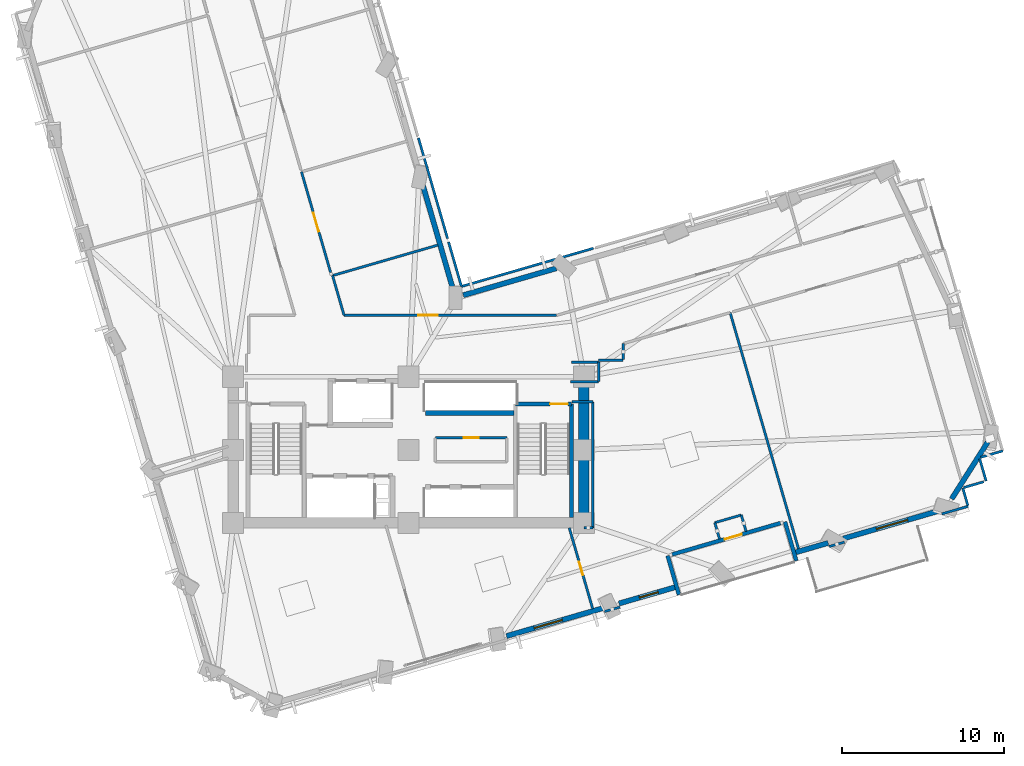
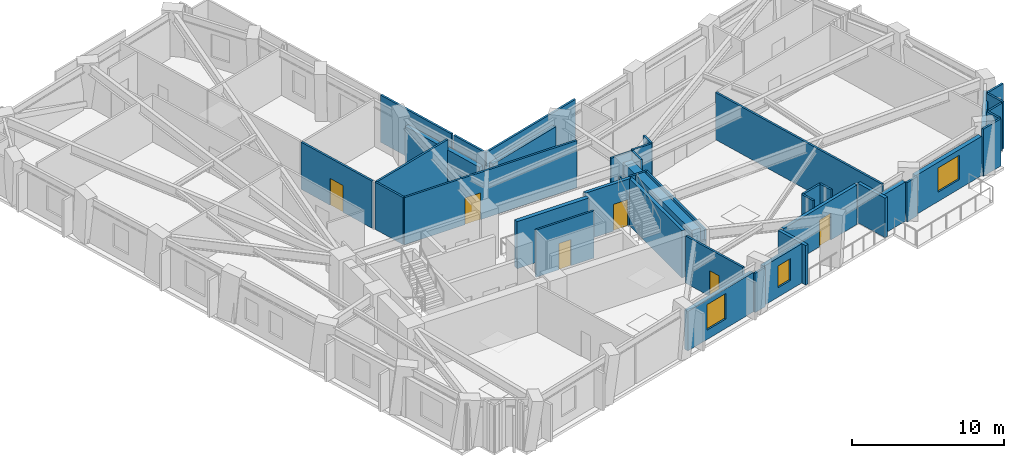
# One storey, part 9 of 15: 42 walls, 6 doors, 3 windows, 9 openings.
"""IFC4 building model written with IfcOpenShell, lengths in metres."""

from ifc_helpers import new_model, si_unit, direction, frame, frame_2d, origin, place, context, subcontext, project, spatial, rectangle, extrude, material, layer, layer_set, type_object, element, fill, save


model = new_model("IFC4")

# Units and contexts
model_context = context("Model", 3, precision=1e-05, world=origin(), true_north=direction((0.0, 1.0)))
body_context = subcontext(model_context, "Body", "Model", "MODEL_VIEW")
ifc_project = project(units=[si_unit("LENGTHUNIT", "METRE"), si_unit("AREAUNIT", "SQUARE_METRE"), si_unit("VOLUMEUNIT", "CUBIC_METRE"), si_unit("PLANEANGLEUNIT", "RADIAN"), si_unit("MASSUNIT", "GRAM", prefix="KILO")], contexts=[model_context])

# Site, building, storey
site_placement = place(None, origin())
site = spatial("IfcSite", under=ifc_project, at=site_placement, CompositionType="ELEMENT")
building_placement = place(site_placement, origin())
building = spatial("IfcBuilding", under=site, at=building_placement, Name="Gaonmaruhae Medical Tower", CompositionType="ELEMENT")
storey_placement = place(building_placement, frame((0.0, 0.0, 92.39990234375)))
storey = spatial("IfcBuildingStorey", under=building, at=storey_placement, Name="L21", CompositionType="ELEMENT", Elevation=92.39990234375)

# Wall
ifc_material_1 = material(Name="Concrete C60/75", Category="concrete")
ifc_layer_1 = layer(ifc_material_1, 0.64990234375)
ifc_layer_set_1 = layer_set([ifc_layer_1], Name="Concrete C60/75")
wall_type_1 = type_object("IfcWallType", Name="CW-650 Zone 2 Core Shear Wall", PredefinedType="SHEAR", material=ifc_layer_set_1)
wall_1_placement = place(storey_placement, frame((35.60009765625, 7.800048828125, 0.0), z_axis=(0.0, 0.0, 1.0), x_axis=(0.0, 1.0, 0.0)))
element("IfcWall", 1, at=wall_1_placement, inside=storey, type_object=wall_type_1, Name="L21 Core Shear Wall CSW-E1", PredefinedType="SHEAR", context=body_context, shape_type="SweptSolid", body=[
    extrude(rectangle(XDim=9.0, YDim=0.64990234375, at=frame_2d((4.5, 0.0))), origin(), (0.0, 0.0, 1.0), 3.780029296875),
])

# Wall, opening, door
ifc_material_2 = material(Name="Precast concrete C45/55", Category="concrete")
ifc_layer_2 = layer(ifc_material_2, 0.239990234375)
ifc_layer_set_2 = layer_set([ifc_layer_2], Name="Precast concrete C45/55")
wall_type_2 = type_object("IfcWallType", Name="EW-240 Ribbon & Shelter Insulated Precast Wall", PredefinedType="SOLIDWALL", material=ifc_layer_set_2)
wall_2_placement = place(storey_placement, frame((47.709228515625, 7.79345703125, 0.0), z_axis=(0.0, 0.0, 1.0), x_axis=(-0.960532946144, -0.278166244127, 0.0)))
wall_2 = element("IfcWall", 2, at=wall_2_placement, inside=storey, type_object=wall_type_2, Name="L21 Recessed Terrace Enclosure Wall TERB", PredefinedType="SOLIDWALL", context=body_context, shape_type="SweptSolid", body=[
    extrude(rectangle(XDim=6.9599609375, YDim=0.239990234375, at=frame_2d((3.47998046875, 0.0))), origin(), (0.0, 0.0, 1.0), 3.1650390625),
])
opening_1_placement = place(wall_2_placement, frame((2.485107421875, 0.0, 0.0)))
opening_1 = element("IfcOpeningElement", 3, at=opening_1_placement, cuts=wall_2, Name="Opening TD-01", PredefinedType="OPENING", context=body_context, shape_type="SweptSolid", body=[
    extrude(rectangle(XDim=1.10009765625, YDim=2.14990234375, at=frame_2d((0.550048828125, 1.074951171875))), frame((0.0, 0.1298828125, 0.0), z_axis=(0.0, -1.0, 0.0), x_axis=(1.0, 0.0, 0.0)), (0.0, 0.0, 1.0), 0.260009765625),
])
ifc_material_3 = material(Name="Anodised aluminium and toughened safety glass", Category="aluminium")
door_type_1 = type_object("IfcDoorType", Name="TD-01 Terrace & Sky Garden Glazed Door 1100x2150", OperationType="NOTDEFINED", PredefinedType="DOOR", material=ifc_material_3)
door_1_placement = place(opening_1_placement, origin())
door_1 = element("IfcDoor", 4, at=door_1_placement, inside=storey, type_object=door_type_1, Name="L21 Outdoor Terrace Access Door SLB-L21-TER", OperationType="SINGLE_SWING_LEFT", OverallHeight=2.14990234375, OverallWidth=1.10009765625, PredefinedType="DOOR", context=body_context, shape_type="SweptSolid", body=[
    extrude(rectangle(XDim=1.10009765625, YDim=2.14990234375, at=frame_2d((0.550048828125, 1.074951171875))), frame((0.0, 0.02490234375, 0.0), z_axis=(0.0, -1.0, 0.0), x_axis=(1.0, 0.0, 0.0)), (0.0, 0.0, 1.0), 0.050048828125),
])
fill(opening_1, door_1)

# Walls
for number, where, z_axis, x_axis, name in (
    (5, (40.7548828125, 5.779541015625, 0.0), (0.0, 0.0, 1.0), (0.27812446952, -0.960545042907, 0.0), "L21 Recessed Terrace Enclosure Wall TERL"),
    (6, (48.673583984375, 5.469970703125, 0.0), (0.0, 0.0, 1.0), (-0.27812446952, 0.960545042907, 0.0), "L21 Recessed Terrace Enclosure Wall TERR"),
):
    element("IfcWall", number, at=place(storey_placement, frame(where, z_axis=z_axis, x_axis=x_axis)), inside=storey, type_object=wall_type_2, Name=name, PredefinedType="SOLIDWALL", context=body_context, shape_type="SweptSolid", body=[
        extrude(rectangle(XDim=2.5, YDim=0.239990234375, at=frame_2d((1.25, 0.0))), origin(), (0.0, 0.0, 1.0), 3.1650390625),
    ])

# Wall, opening, window
ifc_layer_3 = layer(ifc_material_2, 0.320068359375)
ifc_layer_set_3 = layer_set([ifc_layer_3], Name="Precast concrete C45/55")
wall_type_3 = type_object("IfcWallType", Name="EW-320 Lower Precast Masonry-Frame Facade Wall", PredefinedType="SOLIDWALL", material=ifc_layer_set_3)
wall_3_placement = place(storey_placement, frame((36.800537109375, 2.562744140625, 0.0), z_axis=(0.0, 0.0, 1.0), x_axis=(-0.960536369331, -0.278154423284, 0.0)))
wall_3 = element("IfcWall", 7, at=wall_3_placement, inside=storey, type_object=wall_type_3, Name="L21 Precast Masonry-Frame Wall S03-S04", PredefinedType="SOLIDWALL", context=body_context, shape_type="SweptSolid", body=[
    extrude(rectangle(XDim=6.214111328125, YDim=0.320068359375, at=frame_2d((3.10693359375, 0.0))), origin(), (0.0, 0.0, 1.0), 3.1650390625),
])
opening_2_placement = place(wall_3_placement, frame((2.635009765625, 0.0, 0.75)))
opening_2 = element("IfcOpeningElement", 8, at=opening_2_placement, cuts=wall_3, Name="Opening WN-04", PredefinedType="OPENING", context=body_context, shape_type="SweptSolid", body=[
    extrude(rectangle(XDim=1.800048828125, YDim=2.050048828125, at=frame_2d((0.89990234375, 1.02490234375))), frame((0.0, 0.169921875, 0.0), z_axis=(0.0, -1.0, 0.0), x_axis=(1.0, 0.0, 0.0)), (0.0, 0.0, 1.0), 0.340087890625),
])
ifc_material_4 = material(Name="Anodised aluminium and Low-E double glazing", Category="aluminium")
window_type_1 = type_object("IfcWindowType", Name="WN-04 Clinic & Consult Punched Window 1800x2050", PartitioningType="SINGLE_PANEL", PredefinedType="WINDOW", material=ifc_material_4)
window_1_placement = place(opening_2_placement, origin())
window_1 = element("IfcWindow", 9, at=window_1_placement, inside=storey, type_object=window_type_1, Name="L21 Modular Facade Window S03", OverallHeight=2.050048828125, OverallWidth=1.800048828125, PartitioningType="SINGLE_PANEL", PredefinedType="WINDOW", context=body_context, shape_type="SweptSolid", body=[
    extrude(rectangle(XDim=1.800048828125, YDim=2.050048828125, at=frame_2d((0.89990234375, 1.02490234375))), frame((0.0, 0.030029296875, 0.0), z_axis=(0.0, -1.0, 0.0), x_axis=(1.0, 0.0, 0.0)), (0.0, 0.0, 1.0), 0.06005859375),
])
fill(opening_2, window_1)

wall_4_placement = place(storey_placement, frame((41.289306640625, 3.862548828125, 0.0), z_axis=(0.0, 0.0, 1.0), x_axis=(-0.960529300019, -0.278178834213, 0.0)))
wall_4 = element("IfcWall", 10, at=wall_4_placement, inside=storey, type_object=wall_type_3, Name="L21 Precast Masonry-Frame Wall S04-S05", PredefinedType="SOLIDWALL", context=body_context, shape_type="SweptSolid", body=[
    extrude(rectangle(XDim=3.681640625, YDim=0.320068359375, at=frame_2d((1.8408203125, 0.0))), origin(), (0.0, 0.0, 1.0), 3.14501953125),
])
opening_3_placement = place(wall_4_placement, frame((1.165771484375, 0.0, 0.75)))
opening_3 = element("IfcOpeningElement", 11, at=opening_3_placement, cuts=wall_4, Name="Opening WN-05", PredefinedType="OPENING", context=body_context, shape_type="SweptSolid", body=[
    extrude(rectangle(XDim=1.199951171875, YDim=1.75, at=frame_2d((0.60009765625, 0.875))), frame((0.0, 0.169921875, 0.0), z_axis=(0.0, -1.0, 0.0), x_axis=(1.0, 0.0, 0.0)), (0.0, 0.0, 1.0), 0.340087890625),
])
window_type_2 = type_object("IfcWindowType", Name="WN-05 Support & Staff Punched Window 1200x1750", PartitioningType="SINGLE_PANEL", PredefinedType="WINDOW", material=ifc_material_4)
window_2_placement = place(opening_3_placement, origin())
window_2 = element("IfcWindow", 12, at=window_2_placement, inside=storey, type_object=window_type_2, Name="L21 Modular Facade Window S04", OverallHeight=1.75, OverallWidth=1.199951171875, PartitioningType="SINGLE_PANEL", PredefinedType="WINDOW", context=body_context, shape_type="SweptSolid", body=[
    extrude(rectangle(XDim=1.199951171875, YDim=1.75, at=frame_2d((0.60009765625, 0.875))), frame((0.0, 0.030029296875, 0.0), z_axis=(0.0, -1.0, 0.0), x_axis=(1.0, 0.0, 0.0)), (0.0, 0.0, 1.0), 0.06005859375),
])
fill(opening_3, window_2)

# Wall
wall_5_placement = place(storey_placement, frame((50.64013671875, 6.5703125, 0.0), z_axis=(0.0, 0.0, 1.0), x_axis=(-0.960543750342, -0.278128933553, 0.0)))
element("IfcWall", 13, at=wall_5_placement, inside=storey, type_object=wall_type_3, Name="L21 Precast Masonry-Frame Wall S05-S06", PredefinedType="SOLIDWALL", context=body_context, shape_type="SweptSolid", body=[
    extrude(rectangle(XDim=2.17529296875, YDim=0.320068359375, at=frame_2d((1.087646484375, 0.0))), origin(), (0.0, 0.0, 1.0), 3.14501953125),
])

# Wall, opening, window
wall_6_placement = place(storey_placement, frame((57.57080078125, 8.577392578125, 0.0), z_axis=(0.0, 0.0, 1.0), x_axis=(-0.96053484433, -0.278159689437, 0.0)))
wall_6 = element("IfcWall", 14, at=wall_6_placement, inside=storey, type_object=wall_type_3, Name="L21 Precast Masonry-Frame Wall S06-S07", PredefinedType="SOLIDWALL", context=body_context, shape_type="SweptSolid", body=[
    extrude(rectangle(XDim=6.2421875, YDim=0.320068359375, at=frame_2d((3.12109375, 0.0))), origin(), (0.0, 0.0, 1.0), 3.14501953125),
])
opening_4_placement = place(wall_6_placement, frame((2.125244140625, 0.0, 0.75)))
opening_4 = element("IfcOpeningElement", 15, at=opening_4_placement, cuts=wall_6, Name="Opening WN-02", PredefinedType="OPENING", context=body_context, shape_type="SweptSolid", body=[
    extrude(rectangle(XDim=2.0, YDim=1.949951171875, at=frame_2d((1.0, 0.97509765625))), frame((0.0, 0.169921875, 0.0), z_axis=(0.0, -1.0, 0.0), x_axis=(1.0, 0.0, 0.0)), (0.0, 0.0, 1.0), 0.340087890625),
])
window_type_3 = type_object("IfcWindowType", Name="WN-02 Double-Bed Ward Punched Window 2000x1950", PartitioningType="SINGLE_PANEL", PredefinedType="WINDOW", material=ifc_material_4)
window_3_placement = place(opening_4_placement, origin())
window_3 = element("IfcWindow", 16, at=window_3_placement, inside=storey, type_object=window_type_3, Name="L21 Modular Facade Window S06", OverallHeight=1.949951171875, OverallWidth=2.0, PartitioningType="SINGLE_PANEL", PredefinedType="WINDOW", context=body_context, shape_type="SweptSolid", body=[
    extrude(rectangle(XDim=2.0, YDim=1.949951171875, at=frame_2d((1.0, 0.97509765625))), frame((0.0, 0.030029296875, 0.0), z_axis=(0.0, -1.0, 0.0), x_axis=(1.0, 0.0, 0.0)), (0.0, 0.0, 1.0), 0.06005859375),
])
fill(opening_4, window_3)

# Walls
wall_7_placement = place(storey_placement, frame((60.46337890625, 12.780029296875, 0.0), z_axis=(0.0, 0.0, 1.0), x_axis=(-0.535857545401, -0.844308409905, 0.0)))
element("IfcWall", 17, at=wall_7_placement, inside=storey, type_object=wall_type_3, Name="L21 Precast Masonry-Frame Wall S07-E01", PredefinedType="SOLIDWALL", context=body_context, shape_type="SweptSolid", body=[
    extrude(rectangle(XDim=4.14501953125, YDim=0.320068359375, at=frame_2d((2.072509765625, 0.0))), origin(), (0.0, 0.0, 1.0), 3.1650390625),
])
wall_8_placement = place(storey_placement, frame((28.1689453125, 21.82177734375, 0.0), z_axis=(0.0, 0.0, 1.0), x_axis=(0.96054093962, 0.278138640455, 0.0)))
element("IfcWall", 18, at=wall_8_placement, inside=storey, type_object=wall_type_3, Name="L21 Precast Masonry-Frame Wall EN03-KN01", PredefinedType="SOLIDWALL", context=body_context, shape_type="SweptSolid", body=[
    extrude(rectangle(XDim=5.9599609375, YDim=0.320068359375, at=frame_2d((2.97998046875, 0.0))), origin(), (0.0, 0.0, 1.0), 3.1650390625),
])
wall_9_placement = place(storey_placement, frame((25.680908203125, 28.59912109375, 0.0), z_axis=(0.0, 0.0, 1.0), x_axis=(0.278120336546, -0.960546239595, 0.0)))
element("IfcWall", 19, at=wall_9_placement, inside=storey, type_object=wall_type_3, Name="L21 Precast Masonry-Frame Wall KN01-NE01", PredefinedType="SOLIDWALL", context=body_context, shape_type="SweptSolid", body=[
    extrude(rectangle(XDim=6.760009765625, YDim=0.320068359375, at=frame_2d((3.3798828125, 0.0))), origin(), (0.0, 0.0, 1.0), 2.965087890625),
])

# Wall, opening, door
ifc_material_5 = material(Name="Gypsum board partition", Category="gypsum")
ifc_layer_4 = layer(ifc_material_5, 0.14990234375)
ifc_layer_set_4 = layer_set([ifc_layer_4], Name="Gypsum board partition")
wall_type_4 = type_object("IfcWallType", Name="PW-150 Rated Clinical Corridor Partition", PredefinedType="PARTITIONING", material=ifc_layer_set_4)
wall_10_placement = place(storey_placement, frame((26.449951171875, 13.0400390625, 0.0), z_axis=(0.0, 0.0, 1.0), x_axis=(1.0, 0.0, 0.0)))
wall_10 = element("IfcWall", 20, at=wall_10_placement, inside=storey, type_object=wall_type_4, Name="L21 Interior Partition L21-CS1-2", PredefinedType="PARTITIONING", context=body_context, shape_type="SweptSolid", body=[
    extrude(rectangle(XDim=4.400146484375, YDim=0.14990234375, at=frame_2d((2.2001953125, 0.0))), origin(), (0.0, 0.0, 1.0), 3.780029296875),
])
opening_5_placement = place(wall_10_placement, frame((1.739990234375, 0.0, 0.0)))
opening_5 = element("IfcOpeningElement", 21, at=opening_5_placement, cuts=wall_10, Name="Opening UD-01", PredefinedType="OPENING", context=body_context, shape_type="SweptSolid", body=[
    extrude(rectangle(XDim=0.919921875, YDim=2.10009765625, at=frame_2d((0.4599609375, 1.050048828125))), frame((0.0, 0.0849609375, 0.0), z_axis=(0.0, -1.0, 0.0), x_axis=(1.0, 0.0, 0.0)), (0.0, 0.0, 1.0), 0.169921875),
])
ifc_material_6 = material(Name="Powder-coated steel utility door", Category="steel")
door_type_2 = type_object("IfcDoorType", Name="UD-01 Toilet, Utility & Housekeeping Door 920x2100", OperationType="NOTDEFINED", PredefinedType="DOOR", material=ifc_material_6)
door_2_placement = place(opening_5_placement, origin())
door_2 = element("IfcDoor", 22, at=door_2_placement, inside=storey, type_object=door_type_2, Name="L21 Clean Linen Utility Store Door", OperationType="SINGLE_SWING_RIGHT", OverallHeight=2.10009765625, OverallWidth=0.919921875, PredefinedType="DOOR", context=body_context, shape_type="SweptSolid", body=[
    extrude(rectangle(XDim=0.919921875, YDim=2.10009765625, at=frame_2d((0.4599609375, 1.050048828125))), frame((0.0, 0.02490234375, 0.0), z_axis=(0.0, -1.0, 0.0), x_axis=(1.0, 0.0, 0.0)), (0.0, 0.0, 1.0), 0.050048828125),
])
fill(opening_5, door_2)

wall_11_placement = place(storey_placement, frame((34.695068359375, 7.5, 0.0), z_axis=(0.0, 0.0, 1.0), x_axis=(0.27804780228, -0.960567238483, 0.0)))
wall_11 = element("IfcWall", 23, at=wall_11_placement, inside=storey, type_object=wall_type_4, Name="L21 Interior Partition L21-SUP02-16", PredefinedType="PARTITIONING", context=body_context, shape_type="SweptSolid", body=[
    extrude(rectangle(XDim=5.19287109375, YDim=0.14990234375, at=frame_2d((2.596435546875, 0.0))), origin(), (0.0, 0.0, 1.0), 3.780029296875),
])
opening_6_placement = place(wall_11_placement, frame((2.16650390625, 0.0, 0.0)))
opening_6 = element("IfcOpeningElement", 24, at=opening_6_placement, cuts=wall_11, Name="Opening AD-01", PredefinedType="OPENING", context=body_context, shape_type="SweptSolid", body=[
    extrude(rectangle(XDim=0.860107421875, YDim=2.06005859375, at=frame_2d((0.43017578125, 1.030029296875))), frame((0.0, 0.0849609375, 0.0), z_axis=(0.0, -1.0, 0.0), x_axis=(1.0, 0.0, 0.0)), (0.0, 0.0, 1.0), 0.169921875),
])
ifc_material_7 = material(Name="Powder-coated steel access door", Category="steel")
door_type_3 = type_object("IfcDoorType", Name="AD-01 Riser & Closet Access Fire Door 860x2060", OperationType="NOTDEFINED", PredefinedType="DOOR", material=ifc_material_7)
door_3_placement = place(opening_6_placement, origin())
door_3 = element("IfcDoor", 25, at=door_3_placement, inside=storey, type_object=door_type_3, Name="L21 Clinical Biomedical Charting Office Sliding Door", OperationType="SLIDING_TO_LEFT", OverallHeight=2.06005859375, OverallWidth=0.860107421875, PredefinedType="DOOR", context=body_context, shape_type="SweptSolid", body=[
    extrude(rectangle(XDim=0.860107421875, YDim=2.06005859375, at=frame_2d((0.43017578125, 1.030029296875))), frame((0.0, 0.02490234375, 0.0), z_axis=(0.0, -1.0, 0.0), x_axis=(1.0, 0.0, 0.0)), (0.0, 0.0, 1.0), 0.050048828125),
])
fill(opening_6, door_3)

# Walls
wall_12_placement = place(storey_placement, frame((37.81689453125, 2.617919921875, 0.0), z_axis=(0.0, 0.0, 1.0), x_axis=(-0.960475911695, -0.278363113674, 0.0)))
element("IfcWall", 26, at=wall_12_placement, inside=storey, type_object=wall_type_4, Name="L21 Interior Partition L21-SUP03-17", PredefinedType="PARTITIONING", context=body_context, shape_type="SweptSolid", body=[
    extrude(rectangle(XDim=0.990966796875, YDim=0.14990234375, at=frame_2d((0.49560546875, 0.0))), origin(), (0.0, 0.0, 1.0), 3.14501953125),
])
wall_13_placement = place(storey_placement, frame((35.60009765625, 7.5, 0.0), z_axis=(0.0, 0.0, 1.0), x_axis=(1.0, 0.0, 0.0)))
element("IfcWall", 27, at=wall_13_placement, inside=storey, type_object=wall_type_4, Name="L21 Interior Partition L21-SUP03-18", PredefinedType="PARTITIONING", context=body_context, shape_type="SweptSolid", body=[
    extrude(rectangle(XDim=0.5498046875, YDim=0.14990234375, at=frame_2d((0.27490234375, 0.0))), origin(), (0.0, 0.0, 1.0), 2.945068359375),
])
wall_14_placement = place(storey_placement, frame((36.14990234375, 7.5, 0.0), z_axis=(0.0, 0.0, 1.0), x_axis=(0.0, 1.0, 0.0)))
element("IfcWall", 28, at=wall_14_placement, inside=storey, type_object=wall_type_4, Name="L21 Interior Partition L21-SUP03-19", PredefinedType="PARTITIONING", context=body_context, shape_type="SweptSolid", body=[
    extrude(rectangle(XDim=7.760009765625, YDim=0.14990234375, at=frame_2d((3.8798828125, 0.0))), origin(), (0.0, 0.0, 1.0), 3.780029296875),
])
wall_15_placement = place(storey_placement, frame((36.14990234375, 15.260009765625, 0.0), z_axis=(0.0, 0.0, 1.0), x_axis=(-1.0, 0.0, 0.0)))
element("IfcWall", 29, at=wall_15_placement, inside=storey, type_object=wall_type_4, Name="L21 Interior Partition L21-SUP03-20", PredefinedType="PARTITIONING", context=body_context, shape_type="SweptSolid", body=[
    extrude(rectangle(XDim=1.2998046875, YDim=0.14990234375, at=frame_2d((0.64990234375, 0.0))), origin(), (0.0, 0.0, 1.0), 3.780029296875),
])
wall_16_placement = place(storey_placement, frame((34.777099609375, 16.5, 0.0), z_axis=(0.0, 0.0, 1.0), x_axis=(1.0, 0.0, 0.0)))
element("IfcWall", 30, at=wall_16_placement, inside=storey, type_object=wall_type_4, Name="L21 Interior Partition L21-SUP03-21", PredefinedType="PARTITIONING", context=body_context, shape_type="SweptSolid", body=[
    extrude(rectangle(XDim=1.722900390625, YDim=0.14990234375, at=frame_2d((0.861328125, 0.0))), origin(), (0.0, 0.0, 1.0), 2.965087890625),
])
wall_17_placement = place(storey_placement, frame((36.5, 16.5, 0.0), z_axis=(0.0, 0.0, 1.0), x_axis=(0.0, 1.0, 0.0)))
element("IfcWall", 31, at=wall_17_placement, inside=storey, type_object=wall_type_4, Name="L21 Interior Partition L21-SUP03-22", PredefinedType="PARTITIONING", context=body_context, shape_type="SweptSolid", body=[
    extrude(rectangle(XDim=1.199951171875, YDim=0.14990234375, at=frame_2d((0.60009765625, 0.0))), origin(), (0.0, 0.0, 1.0), 3.780029296875),
])
wall_18_placement = place(storey_placement, frame((36.5, 17.699951171875, 0.0), z_axis=(0.0, 0.0, 1.0), x_axis=(-1.0, 0.0, 0.0)))
element("IfcWall", 32, at=wall_18_placement, inside=storey, type_object=wall_type_4, Name="L21 Interior Partition L21-SUP03-23", PredefinedType="PARTITIONING", context=body_context, shape_type="SweptSolid", body=[
    extrude(rectangle(XDim=1.669921875, YDim=0.14990234375, at=frame_2d((0.8349609375, 0.0))), origin(), (0.0, 0.0, 1.0), 3.780029296875),
])
wall_19_placement = place(storey_placement, frame((36.5, 17.821044921875, 0.0), z_axis=(0.0, 0.0, 1.0), x_axis=(1.0, 0.0, 0.0)))
element("IfcWall", 33, at=wall_19_placement, inside=storey, type_object=wall_type_4, Name="L21 Interior Partition L21-SUP03-24", PredefinedType="PARTITIONING", context=body_context, shape_type="SweptSolid", body=[
    extrude(rectangle(XDim=1.509033203125, YDim=0.14990234375, at=frame_2d((0.75439453125, 0.0))), origin(), (0.0, 0.0, 1.0), 3.780029296875),
])
wall_20_placement = place(storey_placement, frame((38.030029296875, 17.85009765625, 0.0), z_axis=(0.0, 0.0, 1.0), x_axis=(0.0, 1.0, 0.0)))
element("IfcWall", 34, at=wall_20_placement, inside=storey, type_object=wall_type_4, Name="L21 Interior Partition L21-SUP03-25", PredefinedType="PARTITIONING", context=body_context, shape_type="SweptSolid", body=[
    extrude(rectangle(XDim=0.996826171875, YDim=0.14990234375, at=frame_2d((0.49853515625, 0.0))), origin(), (0.0, 0.0, 1.0), 3.780029296875),
])
wall_21_placement = place(storey_placement, frame((44.60107421875, 20.75, 0.0), z_axis=(0.0, 0.0, 1.0), x_axis=(0.278136254334, -0.960541630553, 0.0)))
element("IfcWall", 35, at=wall_21_placement, inside=storey, type_object=wall_type_4, Name="L21 Interior Partition L21-SUP03-27", PredefinedType="PARTITIONING", context=body_context, shape_type="SweptSolid", body=[
    extrude(rectangle(XDim=15.165283203125, YDim=0.14990234375, at=frame_2d((7.58251953125, 0.0))), origin(), (0.0, 0.0, 1.0), 3.780029296875),
])
wall_22_placement = place(storey_placement, frame((45.583984375, 7.277099609375, 0.0), z_axis=(0.0, 0.0, 1.0), x_axis=(-0.278693123589, 0.960380207451, 0.0)))
element("IfcWall", 36, at=wall_22_placement, inside=storey, type_object=wall_type_4, Name="L21 Interior Partition L21-SUP03-28", PredefinedType="PARTITIONING", context=body_context, shape_type="SweptSolid", body=[
    extrude(rectangle(XDim=1.0546875, YDim=0.14990234375, at=frame_2d((0.52734375, 0.0))), origin(), (0.0, 0.0, 1.0), 3.780029296875),
])
wall_23_placement = place(storey_placement, frame((45.2900390625, 8.2900390625, 0.0), z_axis=(0.0, 0.0, 1.0), x_axis=(-0.960498634142, -0.278284699203, 0.0)))
element("IfcWall", 37, at=wall_23_placement, inside=storey, type_object=wall_type_4, Name="L21 Interior Partition L21-SUP03-29", PredefinedType="PARTITIONING", context=body_context, shape_type="SweptSolid", body=[
    extrude(rectangle(XDim=1.7001953125, YDim=0.14990234375, at=frame_2d((0.85009765625, 0.0))), origin(), (0.0, 0.0, 1.0), 3.780029296875),
])
wall_24_placement = place(storey_placement, frame((43.656982421875, 7.81689453125, 0.0), z_axis=(0.0, 0.0, 1.0), x_axis=(0.278693123589, -0.960380207451, 0.0)))
element("IfcWall", 38, at=wall_24_placement, inside=storey, type_object=wall_type_4, Name="L21 Interior Partition L21-SUP03-30", PredefinedType="PARTITIONING", context=body_context, shape_type="SweptSolid", body=[
    extrude(rectangle(XDim=1.0546875, YDim=0.14990234375, at=frame_2d((0.52734375, 0.0))), origin(), (0.0, 0.0, 1.0), 3.780029296875),
])
wall_25_placement = place(storey_placement, frame((59.256103515625, 8.825927734375, 0.0), z_axis=(0.0, 0.0, 1.0), x_axis=(-0.960452351456, -0.278444394059, 0.0)))
element("IfcWall", 39, at=wall_25_placement, inside=storey, type_object=wall_type_4, Name="L21 Interior Partition L21-SUP04-31", PredefinedType="PARTITIONING", context=body_context, shape_type="SweptSolid", body=[
    extrude(rectangle(XDim=1.687744140625, YDim=0.14990234375, at=frame_2d((0.84375, 0.0))), origin(), (0.0, 0.0, 1.0), 3.780029296875),
])
wall_26_placement = place(storey_placement, frame((51.638916015625, 6.6201171875, 0.0), z_axis=(0.0, 0.0, 1.0), x_axis=(-0.960456645001, -0.27842958369, 0.0)))
element("IfcWall", 40, at=wall_26_placement, inside=storey, type_object=wall_type_4, Name="L21 Interior Partition L21-SUP04-32", PredefinedType="PARTITIONING", context=body_context, shape_type="SweptSolid", body=[
    extrude(rectangle(XDim=0.973388671875, YDim=0.14990234375, at=frame_2d((0.48681640625, 0.0))), origin(), (0.0, 0.0, 1.0), 3.14501953125),
])
wall_27_placement = place(storey_placement, frame((58.927978515625, 9.958984375, 0.0), z_axis=(0.0, 0.0, 1.0), x_axis=(0.277974099978, -0.960588569441, 0.0)))
element("IfcWall", 41, at=wall_27_placement, inside=storey, type_object=wall_type_4, Name="L21 Interior Partition L21-SUP04-35", PredefinedType="PARTITIONING", context=body_context, shape_type="SweptSolid", body=[
    extrude(rectangle(XDim=1.12939453125, YDim=0.14990234375, at=frame_2d((0.564697265625, 0.0))), origin(), (0.0, 0.0, 1.0), 3.780029296875),
])

# Wall, opening, door
wall_28_placement = place(storey_placement, frame((33.910888671875, 20.580078125, 0.0), z_axis=(0.0, 0.0, 1.0), x_axis=(-1.0, 0.0, 0.0)))
wall_28 = element("IfcWall", 42, at=wall_28_placement, inside=storey, type_object=wall_type_4, Name="L21 Interior Partition L21-IE01-59", PredefinedType="PARTITIONING", context=body_context, shape_type="SweptSolid", body=[
    extrude(rectangle(XDim=13.080810546875, YDim=0.14990234375, at=frame_2d((6.54052734375, 0.0))), origin(), (0.0, 0.0, 1.0), 3.780029296875),
])
opening_7_placement = place(wall_28_placement, frame((7.299072265625, 0.0, 0.0)))
opening_7 = element("IfcOpeningElement", 43, at=opening_7_placement, cuts=wall_28, Name="Opening CD-02", PredefinedType="OPENING", context=body_context, shape_type="SweptSolid", body=[
    extrude(rectangle(XDim=1.199951171875, YDim=2.14990234375, at=frame_2d((0.60009765625, 1.074951171875))), frame((0.0, 0.0849609375, 0.0), z_axis=(0.0, -1.0, 0.0), x_axis=(1.0, 0.0, 0.0)), (0.0, 0.0, 1.0), 0.169921875),
])
ifc_material_8 = material(Name="Antimicrobial laminate timber fire door", Category="wood")
door_type_4 = type_object("IfcDoorType", Name="CD-02 Clinical Treatment & Procedure Door 1200x2150", OperationType="NOTDEFINED", PredefinedType="DOOR", material=ifc_material_8)
door_4_placement = place(opening_7_placement, origin())
door_4 = element("IfcDoor", 44, at=door_4_placement, inside=storey, type_object=door_type_4, Name="L21 Central Clinical Nurse Station Door", OperationType="SINGLE_SWING_RIGHT", OverallHeight=2.14990234375, OverallWidth=1.199951171875, PredefinedType="DOOR", context=body_context, shape_type="SweptSolid", body=[
    extrude(rectangle(XDim=1.199951171875, YDim=2.14990234375, at=frame_2d((0.60009765625, 1.074951171875))), frame((0.0, 0.02490234375, 0.0), z_axis=(0.0, -1.0, 0.0), x_axis=(1.0, 0.0, 0.0)), (0.0, 0.0, 1.0), 0.050048828125),
])
fill(opening_7, door_4)

# Walls
wall_29_placement = place(storey_placement, frame((20.830078125, 20.580078125, 0.0), z_axis=(0.0, 0.0, 1.0), x_axis=(-0.278232310288, 0.960513811203, 0.0)))
element("IfcWall", 45, at=wall_29_placement, inside=storey, type_object=wall_type_4, Name="L21 Interior Partition L21-IE01-60", PredefinedType="PARTITIONING", context=body_context, shape_type="SweptSolid", body=[
    extrude(rectangle(XDim=2.5517578125, YDim=0.14990234375, at=frame_2d((1.27587890625, 0.0))), origin(), (0.0, 0.0, 1.0), 3.780029296875),
])
wall_30_placement = place(storey_placement, frame((20.1201171875, 23.031005859375, 0.0), z_axis=(0.0, 0.0, 1.0), x_axis=(0.9605800129, 0.278003666913, 0.0)))
element("IfcWall", 46, at=wall_30_placement, inside=storey, type_object=wall_type_4, Name="L21 Interior Partition L21-IE01-61", PredefinedType="PARTITIONING", context=body_context, shape_type="SweptSolid", body=[
    extrude(rectangle(XDim=6.755126953125, YDim=0.14990234375, at=frame_2d((3.37744140625, 0.0))), origin(), (0.0, 0.0, 1.0), 3.780029296875),
])
wall_31_placement = place(storey_placement, frame((27.26708984375, 25.10009765625, 0.0), z_axis=(0.0, 0.0, 1.0), x_axis=(0.277956131192, -0.960593769048, 0.0)))
element("IfcWall", 47, at=wall_31_placement, inside=storey, type_object=wall_type_4, Name="L21 Interior Partition L21-IE01-62", PredefinedType="PARTITIONING", context=body_context, shape_type="SweptSolid", body=[
    extrude(rectangle(XDim=2.849365234375, YDim=0.14990234375, at=frame_2d((1.4248046875, 0.0))), origin(), (0.0, 0.0, 1.0), 3.780029296875),
])
wall_32_placement = place(storey_placement, frame((28.05908203125, 22.363037109375, 0.0), z_axis=(0.0, 0.0, 1.0), x_axis=(0.960541736942, 0.27813588692, 0.0)))
element("IfcWall", 48, at=wall_32_placement, inside=storey, type_object=wall_type_4, Name="L21 Interior Partition L21-IE01-63", PredefinedType="PARTITIONING", context=body_context, shape_type="SweptSolid", body=[
    extrude(rectangle(XDim=8.45654296875, YDim=0.14990234375, at=frame_2d((4.228271484375, 0.0))), origin(), (0.0, 0.0, 1.0), 3.780029296875),
])

# Wall, opening, door
wall_33_placement = place(storey_placement, frame((20.00390625, 23.216064453125, 0.0), z_axis=(0.0, 0.0, 1.0), x_axis=(-0.278163608181, 0.960533709499, 0.0)))
wall_33 = element("IfcWall", 49, at=wall_33_placement, inside=storey, type_object=wall_type_4, Name="L21 Interior Partition L21-IN01-73", PredefinedType="PARTITIONING", context=body_context, shape_type="SweptSolid", body=[
    extrude(rectangle(XDim=6.459716796875, YDim=0.14990234375, at=frame_2d((3.22998046875, 0.0))), origin(), (0.0, 0.0, 1.0), 3.780029296875),
])
opening_8_placement = place(wall_33_placement, frame((2.6298828125, 0.0, 0.0)))
opening_8 = element("IfcOpeningElement", 50, at=opening_8_placement, cuts=wall_33, Name="Opening CD-02", PredefinedType="OPENING", context=body_context, shape_type="SweptSolid", body=[
    extrude(rectangle(XDim=1.199951171875, YDim=2.14990234375, at=frame_2d((0.60009765625, 1.074951171875))), frame((0.0, 0.0849609375, 0.0), z_axis=(0.0, -1.0, 0.0), x_axis=(1.0, 0.0, 0.0)), (0.0, 0.0, 1.0), 0.169921875),
])
door_5_placement = place(opening_8_placement, origin())
door_5 = element("IfcDoor", 51, at=door_5_placement, inside=storey, type_object=door_type_4, Name="L21 Physician Consultation Office Door", OperationType="SINGLE_SWING_LEFT", OverallHeight=2.14990234375, OverallWidth=1.199951171875, PredefinedType="DOOR", context=body_context, shape_type="SweptSolid", body=[
    extrude(rectangle(XDim=1.199951171875, YDim=2.14990234375, at=frame_2d((0.60009765625, 1.074951171875))), frame((0.0, 0.02490234375, 0.0), z_axis=(0.0, -1.0, 0.0), x_axis=(1.0, 0.0, 0.0)), (0.0, 0.0, 1.0), 0.050048828125),
])
fill(opening_8, door_5)

# Walls
wall_34_placement = place(storey_placement, frame((25.410888671875, 31.507080078125, 0.0), z_axis=(0.0, 0.0, 1.0), x_axis=(0.278188378588, -0.960526535822, 0.0)))
element("IfcWall", 52, at=wall_34_placement, inside=storey, type_object=wall_type_4, Name="L21 Interior Partition L21-IN01-75", PredefinedType="PARTITIONING", context=body_context, shape_type="SweptSolid", body=[
    extrude(rectangle(XDim=6.4599609375, YDim=0.14990234375, at=frame_2d((3.22998046875, 0.0))), origin(), (0.0, 0.0, 1.0), 3.780029296875),
])
wall_35_placement = place(storey_placement, frame((60.214111328125, 10.33203125, 0.0), z_axis=(0.0, 0.0, 1.0), x_axis=(-0.960524020229, -0.278197064262, 0.0)))
element("IfcWall", 53, at=wall_35_placement, inside=storey, type_object=wall_type_4, Name="L21 Interior Partition L21-RM02-90", PredefinedType="PARTITIONING", context=body_context, shape_type="SweptSolid", body=[
    extrude(rectangle(XDim=1.279541015625, YDim=0.14990234375, at=frame_2d((0.6396484375, 0.0))), origin(), (0.0, 0.0, 1.0), 3.780029296875),
])
wall_36_placement = place(storey_placement, frame((59.969970703125, 11.7509765625, 0.0), z_axis=(0.0, 0.0, 1.0), x_axis=(0.278008380243, -0.960578648792, 0.0)))
element("IfcWall", 54, at=wall_36_placement, inside=storey, type_object=wall_type_4, Name="L21 Interior Partition L21-RM03-91", PredefinedType="PARTITIONING", context=body_context, shape_type="SweptSolid", body=[
    extrude(rectangle(XDim=1.431396484375, YDim=0.14990234375, at=frame_2d((0.7158203125, 0.0))), origin(), (0.0, 0.0, 1.0), 3.780029296875),
])
wall_37_placement = place(storey_placement, frame((61.39208984375, 12.235107421875, 0.0), z_axis=(0.0, 0.0, 1.0), x_axis=(-0.960467696317, -0.278391458797, 0.0)))
element("IfcWall", 55, at=wall_37_placement, inside=storey, type_object=wall_type_4, Name="L21 Interior Partition L21-RM03-95", PredefinedType="PARTITIONING", context=body_context, shape_type="SweptSolid", body=[
    extrude(rectangle(XDim=1.42236328125, YDim=0.14990234375, at=frame_2d((0.711181640625, 0.0))), origin(), (0.0, 0.0, 1.0), 3.780029296875),
])

# Wall, opening, door
ifc_material_9 = material(Name="Concrete C50/60", Category="concrete")
ifc_layer_5 = layer(ifc_material_9, 0.239990234375)
ifc_layer_set_5 = layer_set([ifc_layer_5], Name="Concrete C50/60")
wall_type_5 = type_object("IfcWallType", Name="SW-240 Dogleg Stair Tight Shaft Wall", PredefinedType="SOLIDWALL", material=ifc_layer_set_5)
wall_38_placement = place(storey_placement, frame((31.3701171875, 15.1201171875, 0.0), z_axis=(0.0, 0.0, 1.0), x_axis=(1.0, 0.0, 0.0)))
wall_38 = element("IfcWall", 56, at=wall_38_placement, inside=storey, type_object=wall_type_5, Name="L21 ST-02 Stair Shaft Wall SHW-ST-02-N", PredefinedType="SOLIDWALL", context=body_context, shape_type="SweptSolid", body=[
    extrude(rectangle(XDim=3.4599609375, YDim=0.239990234375, at=frame_2d((1.72998046875, 0.0))), origin(), (0.0, 0.0, 1.0), 3.780029296875),
])
opening_9_placement = place(wall_38_placement, frame((2.139892578125, 0.0, 0.0)))
opening_9 = element("IfcOpeningElement", 57, at=opening_9_placement, cuts=wall_38, Name="Opening FD-01", PredefinedType="OPENING", context=body_context, shape_type="SweptSolid", body=[
    extrude(rectangle(XDim=1.10009765625, YDim=2.14990234375, at=frame_2d((0.550048828125, 1.074951171875))), frame((0.0, 0.1298828125, 0.0), z_axis=(0.0, -1.0, 0.0), x_axis=(1.0, 0.0, 0.0)), (0.0, 0.0, 1.0), 0.260009765625),
])
ifc_material_10 = material(Name="Powder-coated steel fire door", Category="steel")
door_type_5 = type_object("IfcDoorType", Name="FD-01 Escape Stair Protected Fire Door 1100x2150", OperationType="NOTDEFINED", PredefinedType="DOOR", material=ifc_material_10)
door_6_placement = place(opening_9_placement, origin())
door_6 = element("IfcDoor", 58, at=door_6_placement, inside=storey, type_object=door_type_5, Name="L21 ST-02 Protected Escape Stair Door", OperationType="SINGLE_SWING_LEFT", OverallHeight=2.14990234375, OverallWidth=1.10009765625, PredefinedType="DOOR", context=body_context, shape_type="SweptSolid", body=[
    extrude(rectangle(XDim=1.10009765625, YDim=2.14990234375, at=frame_2d((0.550048828125, 1.074951171875))), frame((0.0, 0.02490234375, 0.0), z_axis=(0.0, -1.0, 0.0), x_axis=(1.0, 0.0, 0.0)), (0.0, 0.0, 1.0), 0.050048828125),
])
fill(opening_9, door_6)

# Walls
wall_39_placement = place(storey_placement, frame((34.830078125, 15.1201171875, 0.0), z_axis=(0.0, 0.0, 1.0), x_axis=(0.0, -1.0, 0.0)))
element("IfcWall", 59, at=wall_39_placement, inside=storey, type_object=wall_type_5, Name="L21 ST-02 Stair Shaft Wall SHW-ST-02-E", PredefinedType="SOLIDWALL", context=body_context, shape_type="SweptSolid", body=[
    extrude(rectangle(XDim=6.9951171875, YDim=0.239990234375, at=frame_2d((3.49755859375, 0.0))), origin(), (0.0, 0.0, 1.0), 3.780029296875),
])
ifc_layer_6 = layer(ifc_material_9, 0.300048828125)
ifc_layer_set_6 = layer_set([ifc_layer_6], Name="Concrete C50/60")
wall_type_6 = type_object("IfcWallType", Name="SW-300 Stair & Lift Hoistway Shaft Wall", PredefinedType="SOLIDWALL", material=ifc_layer_set_6)
wall_40_placement = place(storey_placement, frame((25.85009765625, 14.580078125, 0.0), z_axis=(0.0, 0.0, 1.0), x_axis=(1.0, 0.0, 0.0)))
element("IfcWall", 60, at=wall_40_placement, inside=storey, type_object=wall_type_6, Name="L21 Shaft Enclosure Wall SHW-PLN", PredefinedType="SOLIDWALL", context=body_context, shape_type="SweptSolid", body=[
    extrude(rectangle(XDim=5.449951171875, YDim=0.300048828125, at=frame_2d((2.72509765625, 0.0))), origin(), (0.0, 0.0, 1.0), 3.780029296875),
])

save(model, "model.ifc")
